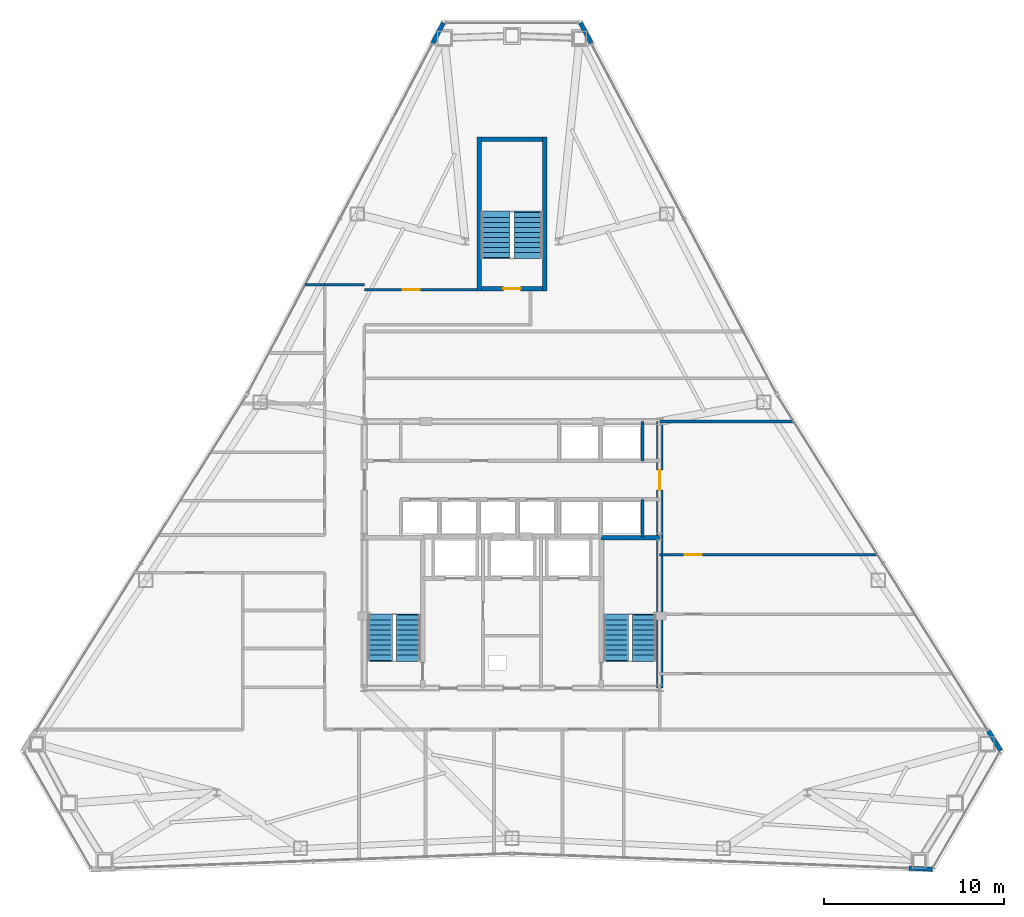
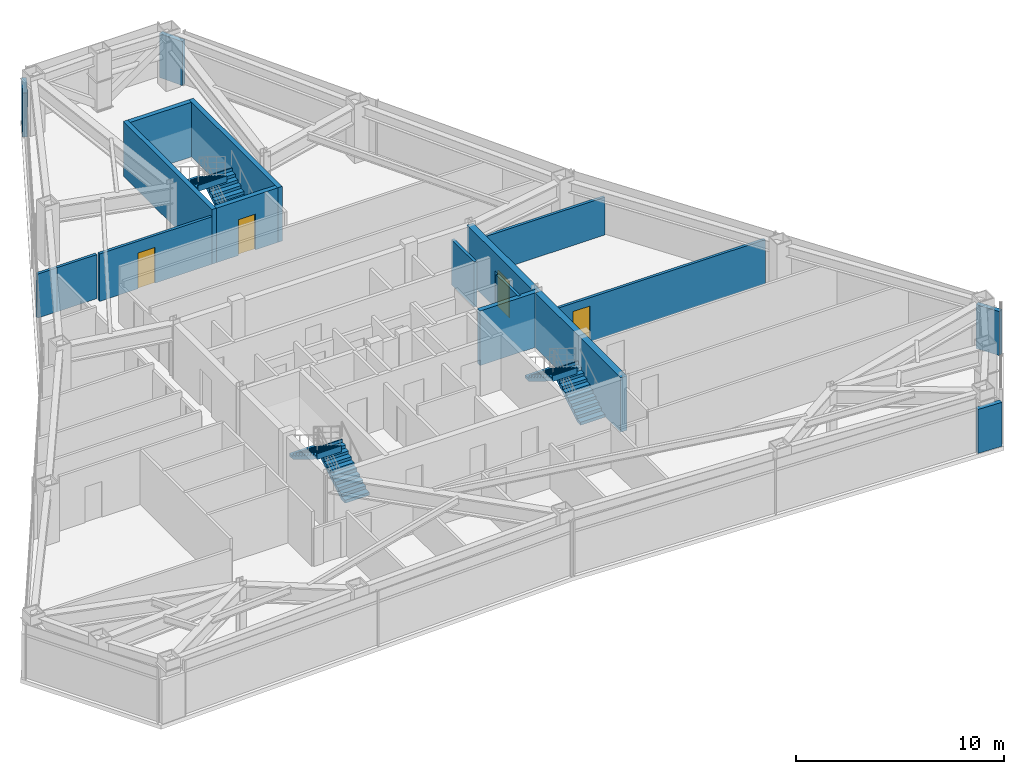
# One storey, part 12 of 13: 17 walls, 6 stair flights, 4 doors, 4 openings, 3 elements without a shape of their own.
"""IFC4 building model written with IfcOpenShell, lengths in metres."""

from ifc_helpers import new_model, si_unit, direction, frame, frame_2d, origin, place, context, subcontext, project, spatial, polyline, rectangle, outline, extrude, material, layer, layer_set, type_object, element, fill, aggregate, save


model = new_model("IFC4")

# Units and contexts
model_context = context("Model", 3, precision=1e-05, world=origin(), true_north=direction((0.0, 1.0)))
body_context = subcontext(model_context, "Body", "Model", "MODEL_VIEW")
ifc_project = project(units=[si_unit("LENGTHUNIT", "METRE"), si_unit("AREAUNIT", "SQUARE_METRE"), si_unit("VOLUMEUNIT", "CUBIC_METRE"), si_unit("PLANEANGLEUNIT", "RADIAN"), si_unit("MASSUNIT", "GRAM", prefix="KILO")], contexts=[model_context])

# Site, building, storey
site_placement = place(None, origin())
site = spatial("IfcSite", under=ifc_project, at=site_placement, CompositionType="ELEMENT")
building_placement = place(site_placement, origin())
building = spatial("IfcBuilding", under=site, at=building_placement, Name="Varakhsha Concourse Tower", CompositionType="ELEMENT")
storey_placement = place(building_placement, frame((0.0, 0.0, 179.25)))
storey = spatial("IfcBuildingStorey", under=building, at=storey_placement, Name="L51", CompositionType="ELEMENT", Elevation=179.25)

# Wall, opening, door
ifc_material_1 = material(Name="Concrete fc 65 MPa", Category="concrete")
ifc_layer_1 = layer(ifc_material_1, 0.35009765625, Name="WL-CORE-350")
ifc_layer_set_1 = layer_set([ifc_layer_1], Name="Concrete fc 65 MPa")
wall_type_1 = type_object("IfcWallType", Name="WL-CORE-350", PredefinedType="SHEAR", material=ifc_layer_set_1)
wall_1_placement = place(storey_placement, frame((48.199951171875, 16.39990234375, 0.0), z_axis=(0.0, 0.0, 1.0), x_axis=(0.0, 1.0, 0.0)))
wall_1 = element("IfcWall", 1, at=wall_1_placement, inside=storey, type_object=wall_type_1, Name="L51 Wall CWALL-E-L51", PredefinedType="SHEAR", context=body_context, shape_type="SweptSolid", body=[
    extrude(rectangle(XDim=14.800048828125, YDim=0.35009765625, at=frame_2d((7.39990234375, 0.0))), origin(), (0.0, 0.0, 1.0), 3.2099609375),
])
opening_1_placement = place(wall_1_placement, frame((11.0, 0.0, 0.0)))
opening_1 = element("IfcOpeningElement", 2, at=opening_1_placement, cuts=wall_1, Name="Opening DL-01", PredefinedType="OPENING", context=body_context, shape_type="SweptSolid", body=[
    extrude(rectangle(XDim=1.10009765625, YDim=2.14990234375, at=frame_2d((0.550048828125, 1.074951171875))), frame((0.0, 0.18505859375, 0.0), z_axis=(0.0, -1.0, 0.0), x_axis=(1.0, 0.0, 0.0)), (0.0, 0.0, 1.0), 0.3701171875),
])
ifc_material_2 = material(Name="Anodised Bronze Architectural Aluminium AA 6063-T6", Category="aluminium")
door_type_1 = type_object("IfcDoorType", Name="DR-LOB-1100", OperationType="NOTDEFINED", PredefinedType="DOOR", material=ifc_material_2)
door_1_placement = place(opening_1_placement, origin())
door_1 = element("IfcDoor", 3, at=door_1_placement, inside=storey, type_object=door_type_1, Name="L51 Lift Lobby East Concourse Door", OperationType="SINGLE_SWING_RIGHT", OverallHeight=2.14990234375, OverallWidth=1.10009765625, PredefinedType="DOOR", context=body_context, shape_type="SweptSolid", body=[
    extrude(rectangle(XDim=1.10009765625, YDim=2.14990234375, at=frame_2d((0.550048828125, 1.074951171875))), frame((0.0, 0.02490234375, 0.0), z_axis=(0.0, -1.0, 0.0), x_axis=(1.0, 0.0, 0.0)), (0.0, 0.0, 1.0), 0.050048828125),
])
fill(opening_1, door_1)

# Walls
ifc_material_3 = material(Name="Concrete fc 45 MPa", Category="concrete")
ifc_layer_2 = layer(ifc_material_3, 0.239990234375, Name="WL-EXT-CRN-240")
ifc_layer_set_2 = layer_set([ifc_layer_2], Name="Concrete fc 45 MPa")
wall_type_2 = type_object("IfcWallType", Name="WL-EXT-CRN-240", PredefinedType="SHEAR", material=ifc_layer_set_2)
for number, where, z_axis, x_axis, name in (
    (4, (36.201416015625, 53.347412109375, 0.0), (0.0, 0.0, 1.0), (-0.467284284501, -0.884107118769, 0.0), "L51 Wind-Corner Shoulder Wall F2"),
    (5, (62.04248046875, 6.385009765625, 0.0), (0.0, 0.0, 1.0), (0.999302961929, -0.037330822118, 0.0), "L51 Wind-Corner Shoulder Wall F6"),
    (6, (67.141845703125, 12.916015625, 0.0), (0.0, 0.0, 1.0), (-0.531987132085, 0.846752438022, 0.0), "L51 Wind-Corner Shoulder Wall F8"),
    (7, (44.40673828125, 52.19677734375, 0.0), (0.0, 0.0, 1.0), (-0.467284284501, 0.884107118769, 0.0), "L51 Wind-Corner Shoulder Wall F9"),
):
    element("IfcWall", number, at=place(storey_placement, frame(where, z_axis=z_axis, x_axis=x_axis)), inside=storey, type_object=wall_type_2, Name=name, PredefinedType="SHEAR", context=body_context, shape_type="SweptSolid", body=[
        extrude(rectangle(XDim=1.301513671875, YDim=0.239990234375, at=frame_2d((0.65087890625, 0.0))), origin(), (0.0, 0.0, 1.0), 2.5830078125),
    ])
ifc_material_4 = material(Name="Fire-Rated Type X Gypsum Partition Assembly", Category="gypsum")
ifc_layer_3 = layer(ifc_material_4, 0.14990234375, Name="WL-PART-150")
ifc_layer_set_3 = layer_set([ifc_layer_3], Name="Fire-Rated Type X Gypsum Partition Assembly")
wall_type_3 = type_object("IfcWallType", Name="WL-PART-150", PredefinedType="PARTITIONING", material=ifc_layer_set_3)
wall_2_placement = place(storey_placement, frame((29.60009765625, 38.800048828125, 0.0), z_axis=(0.0, 0.0, 1.0), x_axis=(1.0, 0.0, 0.0)))
element("IfcWall", 8, at=wall_2_placement, inside=storey, type_object=wall_type_3, Name="L51 Wall CRW-NCAP-L51", PredefinedType="PARTITIONING", context=body_context, shape_type="SweptSolid", body=[
    extrude(rectangle(XDim=2.199951171875, YDim=0.14990234375, at=frame_2d((1.10009765625, 0.0))), origin(), (0.0, 0.0, 1.0), 2.589111328125),
])
wall_3_placement = place(storey_placement, frame((28.51806640625, 38.800048828125, 0.0), z_axis=(0.0, 0.0, 1.0), x_axis=(1.0, 0.0, 0.0)))
element("IfcWall", 9, at=wall_3_placement, inside=storey, type_object=wall_type_3, Name="L51 Wall ODIV-NWT-L51", PredefinedType="PARTITIONING", context=body_context, shape_type="SweptSolid", body=[
    extrude(rectangle(XDim=1.08203125, YDim=0.14990234375, at=frame_2d((0.541015625, 0.0))), origin(), (0.0, 0.0, 1.0), 2.589111328125),
])
wall_4_placement = place(storey_placement, frame((48.199951171875, 31.199951171875, 0.0), z_axis=(0.0, 0.0, 1.0), x_axis=(1.0, 0.0, 0.0)))
element("IfcWall", 10, at=wall_4_placement, inside=storey, type_object=wall_type_3, Name="L51 Wall ODIV-NEB-L51", PredefinedType="PARTITIONING", context=body_context, shape_type="SweptSolid", body=[
    extrude(rectangle(XDim=7.44775390625, YDim=0.14990234375, at=frame_2d((3.723876953125, 0.0))), origin(), (0.0, 0.0, 1.0), 2.22509765625),
])

# Wall, opening, door
wall_5_placement = place(storey_placement, frame((48.199951171875, 23.800048828125, 0.0), z_axis=(0.0, 0.0, 1.0), x_axis=(1.0, 0.0, 0.0)))
wall_5 = element("IfcWall", 11, at=wall_5_placement, inside=storey, type_object=wall_type_3, Name="L51 Wall ODIV-E3-L51", PredefinedType="PARTITIONING", context=body_context, shape_type="SweptSolid", body=[
    extrude(rectangle(XDim=12.097412109375, YDim=0.14990234375, at=frame_2d((6.048828125, 0.0))), origin(), (0.0, 0.0, 1.0), 2.589111328125),
])
opening_2_placement = place(wall_5_placement, frame((1.39990234375, 0.0, 0.0)))
opening_2 = element("IfcOpeningElement", 12, at=opening_2_placement, cuts=wall_5, Name="Opening DF-05", PredefinedType="OPENING", context=body_context, shape_type="SweptSolid", body=[
    extrude(rectangle(XDim=0.949951171875, YDim=2.10009765625, at=frame_2d((0.47509765625, 1.050048828125))), frame((0.0, 0.0849609375, 0.0), z_axis=(0.0, -1.0, 0.0), x_axis=(1.0, 0.0, 0.0)), (0.0, 0.0, 1.0), 0.169921875),
])
ifc_material_5 = material(Name="Hollow Galvanised Steel Fire Door Assembly", Category="steel")
door_type_2 = type_object("IfcDoorType", Name="DR-FD60-950", OperationType="NOTDEFINED", PredefinedType="DOOR", material=ifc_material_5)
door_2_placement = place(opening_2_placement, origin())
door_2 = element("IfcDoor", 13, at=door_2_placement, inside=storey, type_object=door_type_2, Name="L51 East Suite Interconnect Door 3", OperationType="SINGLE_SWING_LEFT", OverallHeight=2.10009765625, OverallWidth=0.949951171875, PredefinedType="DOOR", context=body_context, shape_type="SweptSolid", body=[
    extrude(rectangle(XDim=0.949951171875, YDim=2.10009765625, at=frame_2d((0.47509765625, 1.050048828125))), frame((0.0, 0.02490234375, 0.0), z_axis=(0.0, -1.0, 0.0), x_axis=(1.0, 0.0, 0.0)), (0.0, 0.0, 1.0), 0.050048828125),
])
fill(opening_2, door_2)

wall_6_placement = place(storey_placement, frame((31.800048828125, 38.52490234375, 0.0), z_axis=(0.0, 0.0, 1.0), x_axis=(1.0, 0.0, 0.0)))
wall_6 = element("IfcWall", 14, at=wall_6_placement, inside=storey, type_object=wall_type_3, Name="L51 Wall STLK-N-L51", PredefinedType="PARTITIONING", context=body_context, shape_type="SweptSolid", body=[
    extrude(rectangle(XDim=6.25, YDim=0.14990234375, at=frame_2d((3.125, 0.0))), origin(), (0.0, 0.0, 1.0), 2.79296875),
])
opening_3_placement = place(wall_6_placement, frame((2.125, 0.0, 0.0)))
opening_3 = element("IfcOpeningElement", 15, at=opening_3_placement, cuts=wall_6, Name="Opening DF-05", PredefinedType="OPENING", context=body_context, shape_type="SweptSolid", body=[
    extrude(rectangle(XDim=0.949951171875, YDim=2.10009765625, at=frame_2d((0.47509765625, 1.050048828125))), frame((0.0, 0.0849609375, 0.0), z_axis=(0.0, -1.0, 0.0), x_axis=(1.0, 0.0, 0.0)), (0.0, 0.0, 1.0), 0.169921875),
])
door_3_placement = place(opening_3_placement, origin())
door_3 = element("IfcDoor", 16, at=door_3_placement, inside=storey, type_object=door_type_2, Name="L51 Apex Senior Partner Chamber L51-NE3 Door", OperationType="SINGLE_SWING_RIGHT", OverallHeight=2.10009765625, OverallWidth=0.949951171875, PredefinedType="DOOR", context=body_context, shape_type="SweptSolid", body=[
    extrude(rectangle(XDim=0.949951171875, YDim=2.10009765625, at=frame_2d((0.47509765625, 1.050048828125))), frame((0.0, 0.02490234375, 0.0), z_axis=(0.0, -1.0, 0.0), x_axis=(1.0, 0.0, 0.0)), (0.0, 0.0, 1.0), 0.050048828125),
])
fill(opening_3, door_3)

# Walls
ifc_layer_4 = layer(ifc_material_4, 0.199951171875, Name="WL-SHAFT-220")
ifc_layer_set_4 = layer_set([ifc_layer_4], Name="Fire-Rated Type X Gypsum Partition Assembly")
wall_type_4 = type_object("IfcWallType", Name="WL-SHAFT-220", PredefinedType="SOLIDWALL", material=ifc_layer_set_4)
wall_7_placement = place(storey_placement, frame((47.239990234375, 29.02001953125, 0.0), z_axis=(0.0, 0.0, 1.0), x_axis=(0.0, 1.0, 0.0)))
element("IfcWall", 17, at=wall_7_placement, inside=storey, type_object=wall_type_4, Name="L51 Wall SHW-LF-P10-E-L51", PredefinedType="SOLIDWALL", context=body_context, shape_type="SweptSolid", body=[
    extrude(rectangle(XDim=2.179931640625, YDim=0.159912109375, at=frame_2d((1.08984375, 0.0))), origin(), (0.0, 0.0, 1.0), 2.6650390625),
])
wall_8_placement = place(storey_placement, frame((47.239990234375, 24.800048828125, 0.0), z_axis=(0.0, 0.0, 1.0), x_axis=(0.0, 1.0, 0.0)))
element("IfcWall", 18, at=wall_8_placement, inside=storey, type_object=wall_type_4, Name="L51 Wall SHW-LF-P12-E-L51", PredefinedType="SOLIDWALL", context=body_context, shape_type="SweptSolid", body=[
    extrude(rectangle(XDim=2.079833984375, YDim=0.159912109375, at=frame_2d((1.0400390625, 0.0))), origin(), (0.0, 0.0, 1.0), 3.2099609375),
])
ifc_layer_5 = layer(ifc_material_3, 0.25, Name="WL-STAIR-250")
ifc_layer_set_5 = layer_set([ifc_layer_5], Name="Concrete fc 45 MPa")
wall_type_5 = type_object("IfcWallType", Name="WL-STAIR-250", PredefinedType="SHEAR", material=ifc_layer_set_5)
wall_9_placement = place(storey_placement, frame((44.955078125, 24.7548828125, 0.0), z_axis=(0.0, 0.0, 1.0), x_axis=(1.0, 0.0, 0.0)))
element("IfcWall", 19, at=wall_9_placement, inside=storey, type_object=wall_type_5, Name="L51 Wall SWALL-ST2-N-L51", PredefinedType="SHEAR", context=body_context, shape_type="SweptSolid", body=[
    extrude(rectangle(XDim=3.244873046875, YDim=0.25, at=frame_2d((1.62255859375, 0.0))), origin(), (0.0, 0.0, 1.0), 3.2099609375),
])
for number, where, z_axis, x_axis, name in (
    (20, (38.175048828125, 38.449951171875, 0.0), (0.0, 0.0, 1.0), (0.0, 1.0, 0.0), "L51 Wall SWALL-ST5-W-L51"),
    (21, (41.824951171875, 38.449951171875, 0.0), (0.0, 0.0, 1.0), (0.0, 1.0, 0.0), "L51 Wall SWALL-ST5-E-L51"),
):
    element("IfcWall", number, at=place(storey_placement, frame(where, z_axis=z_axis, x_axis=x_axis)), inside=storey, type_object=wall_type_5, Name=name, PredefinedType="SHEAR", context=body_context, shape_type="SweptSolid", body=[
        extrude(rectangle(XDim=8.550048828125, YDim=0.25, at=frame_2d((4.27490234375, 0.0))), origin(), (0.0, 0.0, 1.0), 3.2099609375),
    ])

# Wall, opening, door
wall_10_placement = place(storey_placement, frame((38.300048828125, 38.574951171875, 0.0), z_axis=(0.0, 0.0, 1.0), x_axis=(1.0, 0.0, 0.0)))
wall_10 = element("IfcWall", 22, at=wall_10_placement, inside=storey, type_object=wall_type_5, Name="L51 Wall SWALL-ST5-S-L51", PredefinedType="SHEAR", context=body_context, shape_type="SweptSolid", body=[
    extrude(rectangle(XDim=3.39990234375, YDim=0.25, at=frame_2d((1.699951171875, 0.0))), origin(), (0.0, 0.0, 1.0), 3.2099609375),
])
opening_4_placement = place(wall_10_placement, frame((1.22509765625, 0.0, 0.0)))
opening_4 = element("IfcOpeningElement", 23, at=opening_4_placement, cuts=wall_10, Name="Opening DF-03", PredefinedType="OPENING", context=body_context, shape_type="SweptSolid", body=[
    extrude(rectangle(XDim=0.949951171875, YDim=2.10009765625, at=frame_2d((0.47509765625, 1.050048828125))), frame((0.0, 0.135009765625, 0.0), z_axis=(0.0, -1.0, 0.0), x_axis=(1.0, 0.0, 0.0)), (0.0, 0.0, 1.0), 0.27001953125),
])
door_type_3 = type_object("IfcDoorType", Name="DR-FD90-950", OperationType="NOTDEFINED", PredefinedType="DOOR", material=ifc_material_5)
door_4_placement = place(opening_4_placement, origin())
door_4 = element("IfcDoor", 24, at=door_4_placement, inside=storey, type_object=door_type_3, Name="L51 Stair ST5 Fire Door", OperationType="SINGLE_SWING_RIGHT", OverallHeight=2.10009765625, OverallWidth=0.949951171875, PredefinedType="DOOR", context=body_context, shape_type="SweptSolid", body=[
    extrude(rectangle(XDim=0.949951171875, YDim=2.10009765625, at=frame_2d((0.47509765625, 1.050048828125))), frame((0.0, 0.02490234375, 0.0), z_axis=(0.0, -1.0, 0.0), x_axis=(1.0, 0.0, 0.0)), (0.0, 0.0, 1.0), 0.050048828125),
])
fill(opening_4, door_4)

# Wall
wall_11_placement = place(storey_placement, frame((38.300048828125, 46.875, 0.0), z_axis=(0.0, 0.0, 1.0), x_axis=(1.0, 0.0, 0.0)))
element("IfcWall", 25, at=wall_11_placement, inside=storey, type_object=wall_type_5, Name="L51 Wall SWALL-ST5-N-L51", PredefinedType="SHEAR", context=body_context, shape_type="SweptSolid", body=[
    extrude(rectangle(XDim=3.39990234375, YDim=0.25, at=frame_2d((1.699951171875, 0.0))), origin(), (0.0, 0.0, 1.0), 3.2099609375),
])

# Stair, stair flights
stair_type_1 = type_object("IfcStairType", Name="ST-DOGLEG-1360", PredefinedType="HALF_TURN_STAIR", material=ifc_material_3)
stair_1_placement = place(storey_placement, origin())
stair_1 = element("IfcStair", 26, at=stair_1_placement, inside=storey, type_object=stair_type_1, Name="L51 Protected Exit Stair ST1", PredefinedType="HALF_TURN_STAIR")
stair_flight_type_1 = type_object("IfcStairFlightType", Name="STF-1360-R1725", PredefinedType="STRAIGHT", material=ifc_material_3)
stair_flight_1_placement = place(storey_placement, frame((34.239990234375, 17.93994140625, 0.0), z_axis=(0.0, 0.0, 1.0), x_axis=(0.0, 1.0, 0.0)))
stair_flight_1 = element("IfcStairFlight", 27, at=stair_flight_1_placement, type_object=stair_flight_type_1, Name="ST1 flight 1", NumberOfRisers=10, NumberOfTreads=9, PredefinedType="STRAIGHT", RiserHeight=0.1725, TreadLength=0.28, context=body_context, shape_type="SweptSolid", body=[
    extrude(outline(polyline([(-0.06005859375, 0.0), (-0.06005859375, 0.172607421875), (0.0, 0.172607421875), (0.280029296875, 0.172607421875), (0.280029296875, 0.344970703125), (0.56005859375, 0.344970703125), (0.56005859375, 0.517578125), (0.840087890625, 0.517578125), (0.840087890625, 0.68994140625), (1.1201171875, 0.68994140625), (1.1201171875, 0.862548828125), (1.39990234375, 0.862548828125), (1.39990234375, 1.034912109375), (1.679931640625, 1.034912109375), (1.679931640625, 1.20751953125), (1.9599609375, 1.20751953125), (1.9599609375, 1.3798828125), (2.239990234375, 1.3798828125), (2.239990234375, 1.552490234375), (2.52001953125, 1.552490234375), (2.52001953125, 1.72509765625), (2.580078125, 1.72509765625), (2.580078125, 1.37646484375), (2.52001953125, 1.37646484375), (0.285888671875, 0.0), (-0.06005859375, 0.0)])), frame((0.0, 0.68017578125, 0.0), z_axis=(0.0, -1.0, 0.0), x_axis=(1.0, 0.0, 0.0)), (0.0, 0.0, 1.0), 1.360107421875),
])
stair_flight_2_placement = place(storey_placement, frame((32.679931640625, 20.4599609375, 1.72509765625), z_axis=(0.0, 0.0, 1.0), x_axis=(0.0, -1.0, 0.0)))
stair_flight_2 = element("IfcStairFlight", 28, at=stair_flight_2_placement, type_object=stair_flight_type_1, Name="ST1 flight 2", NumberOfRisers=10, NumberOfTreads=9, PredefinedType="STRAIGHT", RiserHeight=0.1725, TreadLength=0.28, context=body_context, shape_type="SweptSolid", body=[
    extrude(outline(polyline([(-0.06005859375, 0.0), (-0.06005859375, 0.172607421875), (0.0, 0.172607421875), (0.280029296875, 0.172607421875), (0.280029296875, 0.344970703125), (0.56005859375, 0.344970703125), (0.56005859375, 0.517578125), (0.840087890625, 0.517578125), (0.840087890625, 0.68994140625), (1.1201171875, 0.68994140625), (1.1201171875, 0.862548828125), (1.39990234375, 0.862548828125), (1.39990234375, 1.034912109375), (1.679931640625, 1.034912109375), (1.679931640625, 1.20751953125), (1.9599609375, 1.20751953125), (1.9599609375, 1.3798828125), (2.239990234375, 1.3798828125), (2.239990234375, 1.552490234375), (2.52001953125, 1.552490234375), (2.52001953125, 1.72509765625), (2.580078125, 1.72509765625), (2.580078125, 1.37646484375), (2.52001953125, 1.37646484375), (0.285888671875, 0.0), (-0.06005859375, 0.0)])), frame((0.0, 0.68017578125, 0.0), z_axis=(0.0, -1.0, 0.0), x_axis=(1.0, 0.0, 0.0)), (0.0, 0.0, 1.0), 1.360107421875),
])
aggregate(stair_1, [stair_flight_1, stair_flight_2])

stair_2_placement = place(storey_placement, origin())
stair_2 = element("IfcStair", 29, at=stair_2_placement, inside=storey, type_object=stair_type_1, Name="L51 Protected Exit Stair ST2", PredefinedType="HALF_TURN_STAIR")
stair_flight_3_placement = place(storey_placement, frame((47.340087890625, 17.93994140625, 0.0), z_axis=(0.0, 0.0, 1.0), x_axis=(0.0, 1.0, 0.0)))
stair_flight_3 = element("IfcStairFlight", 30, at=stair_flight_3_placement, type_object=stair_flight_type_1, Name="ST2 flight 1", NumberOfRisers=10, NumberOfTreads=9, PredefinedType="STRAIGHT", RiserHeight=0.1725, TreadLength=0.28, context=body_context, shape_type="SweptSolid", body=[
    extrude(outline(polyline([(-0.06005859375, 0.0), (-0.06005859375, 0.172607421875), (0.0, 0.172607421875), (0.280029296875, 0.172607421875), (0.280029296875, 0.344970703125), (0.56005859375, 0.344970703125), (0.56005859375, 0.517578125), (0.840087890625, 0.517578125), (0.840087890625, 0.68994140625), (1.1201171875, 0.68994140625), (1.1201171875, 0.862548828125), (1.39990234375, 0.862548828125), (1.39990234375, 1.034912109375), (1.679931640625, 1.034912109375), (1.679931640625, 1.20751953125), (1.9599609375, 1.20751953125), (1.9599609375, 1.3798828125), (2.239990234375, 1.3798828125), (2.239990234375, 1.552490234375), (2.52001953125, 1.552490234375), (2.52001953125, 1.72509765625), (2.580078125, 1.72509765625), (2.580078125, 1.37646484375), (2.52001953125, 1.37646484375), (0.285888671875, 0.0), (-0.06005859375, 0.0)])), frame((0.0, 0.68017578125, 0.0), z_axis=(0.0, -1.0, 0.0), x_axis=(1.0, 0.0, 0.0)), (0.0, 0.0, 1.0), 1.360107421875),
])
stair_flight_4_placement = place(storey_placement, frame((45.780029296875, 20.4599609375, 1.72509765625), z_axis=(0.0, 0.0, 1.0), x_axis=(0.0, -1.0, 0.0)))
stair_flight_4 = element("IfcStairFlight", 31, at=stair_flight_4_placement, type_object=stair_flight_type_1, Name="ST2 flight 2", NumberOfRisers=10, NumberOfTreads=9, PredefinedType="STRAIGHT", RiserHeight=0.1725, TreadLength=0.28, context=body_context, shape_type="SweptSolid", body=[
    extrude(outline(polyline([(-0.06005859375, 0.0), (-0.06005859375, 0.172607421875), (0.0, 0.172607421875), (0.280029296875, 0.172607421875), (0.280029296875, 0.344970703125), (0.56005859375, 0.344970703125), (0.56005859375, 0.517578125), (0.840087890625, 0.517578125), (0.840087890625, 0.68994140625), (1.1201171875, 0.68994140625), (1.1201171875, 0.862548828125), (1.39990234375, 0.862548828125), (1.39990234375, 1.034912109375), (1.679931640625, 1.034912109375), (1.679931640625, 1.20751953125), (1.9599609375, 1.20751953125), (1.9599609375, 1.3798828125), (2.239990234375, 1.3798828125), (2.239990234375, 1.552490234375), (2.52001953125, 1.552490234375), (2.52001953125, 1.72509765625), (2.580078125, 1.72509765625), (2.580078125, 1.37646484375), (2.52001953125, 1.37646484375), (0.285888671875, 0.0), (-0.06005859375, 0.0)])), frame((0.0, 0.68017578125, 0.0), z_axis=(0.0, -1.0, 0.0), x_axis=(1.0, 0.0, 0.0)), (0.0, 0.0, 1.0), 1.360107421875),
])
aggregate(stair_2, [stair_flight_3, stair_flight_4])

stair_type_2 = type_object("IfcStairType", Name="ST-DOGLEG-1600", PredefinedType="HALF_TURN_STAIR", material=ifc_material_3)
stair_3_placement = place(storey_placement, origin())
stair_3 = element("IfcStair", 32, at=stair_3_placement, inside=storey, type_object=stair_type_2, Name="L51 Protected Exit Stair ST5", PredefinedType="HALF_TURN_STAIR")
stair_flight_type_2 = type_object("IfcStairFlightType", Name="STF-1600-R1725", PredefinedType="STRAIGHT", material=ifc_material_3)
stair_flight_5_placement = place(storey_placement, frame((40.89990234375, 40.300048828125, 0.0), z_axis=(0.0, 0.0, 1.0), x_axis=(0.0, 1.0, 0.0)))
stair_flight_5 = element("IfcStairFlight", 33, at=stair_flight_5_placement, type_object=stair_flight_type_2, Name="ST5 flight 1", NumberOfRisers=10, NumberOfTreads=9, PredefinedType="STRAIGHT", RiserHeight=0.1725, TreadLength=0.28, context=body_context, shape_type="SweptSolid", body=[
    extrude(outline(polyline([(-0.06005859375, 0.0), (-0.06005859375, 0.172607421875), (0.0, 0.172607421875), (0.280029296875, 0.172607421875), (0.280029296875, 0.344970703125), (0.56005859375, 0.344970703125), (0.56005859375, 0.517578125), (0.840087890625, 0.517578125), (0.840087890625, 0.68994140625), (1.1201171875, 0.68994140625), (1.1201171875, 0.862548828125), (1.39990234375, 0.862548828125), (1.39990234375, 1.034912109375), (1.679931640625, 1.034912109375), (1.679931640625, 1.20751953125), (1.9599609375, 1.20751953125), (1.9599609375, 1.3798828125), (2.239990234375, 1.3798828125), (2.239990234375, 1.552490234375), (2.52001953125, 1.552490234375), (2.52001953125, 1.72509765625), (2.580078125, 1.72509765625), (2.580078125, 1.37646484375), (2.52001953125, 1.37646484375), (0.285888671875, 0.0), (-0.06005859375, 0.0)])), frame((0.0, 0.800048828125, 0.0), z_axis=(0.0, -1.0, 0.0), x_axis=(1.0, 0.0, 0.0)), (0.0, 0.0, 1.0), 1.60009765625),
])
stair_flight_6_placement = place(storey_placement, frame((39.10009765625, 42.820068359375, 1.72509765625), z_axis=(0.0, 0.0, 1.0), x_axis=(0.0, -1.0, 0.0)))
stair_flight_6 = element("IfcStairFlight", 34, at=stair_flight_6_placement, type_object=stair_flight_type_2, Name="ST5 flight 2", NumberOfRisers=10, NumberOfTreads=9, PredefinedType="STRAIGHT", RiserHeight=0.1725, TreadLength=0.28, context=body_context, shape_type="SweptSolid", body=[
    extrude(outline(polyline([(-0.06005859375, 0.0), (-0.06005859375, 0.172607421875), (0.0, 0.172607421875), (0.280029296875, 0.172607421875), (0.280029296875, 0.344970703125), (0.56005859375, 0.344970703125), (0.56005859375, 0.517578125), (0.840087890625, 0.517578125), (0.840087890625, 0.68994140625), (1.1201171875, 0.68994140625), (1.1201171875, 0.862548828125), (1.39990234375, 0.862548828125), (1.39990234375, 1.034912109375), (1.679931640625, 1.034912109375), (1.679931640625, 1.20751953125), (1.9599609375, 1.20751953125), (1.9599609375, 1.3798828125), (2.239990234375, 1.3798828125), (2.239990234375, 1.552490234375), (2.52001953125, 1.552490234375), (2.52001953125, 1.72509765625), (2.580078125, 1.72509765625), (2.580078125, 1.37646484375), (2.52001953125, 1.37646484375), (0.285888671875, 0.0), (-0.06005859375, 0.0)])), frame((0.0, 0.800048828125, 0.0), z_axis=(0.0, -1.0, 0.0), x_axis=(1.0, 0.0, 0.0)), (0.0, 0.0, 1.0), 1.60009765625),
])
aggregate(stair_3, [stair_flight_5, stair_flight_6])

save(model, "model.ifc")
